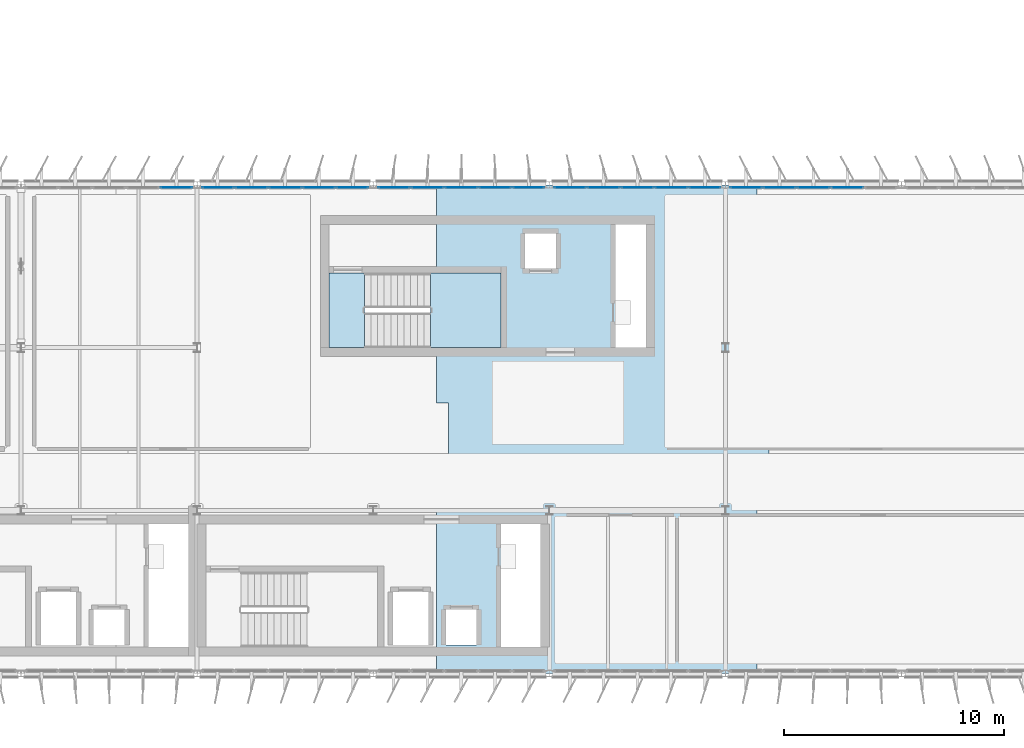
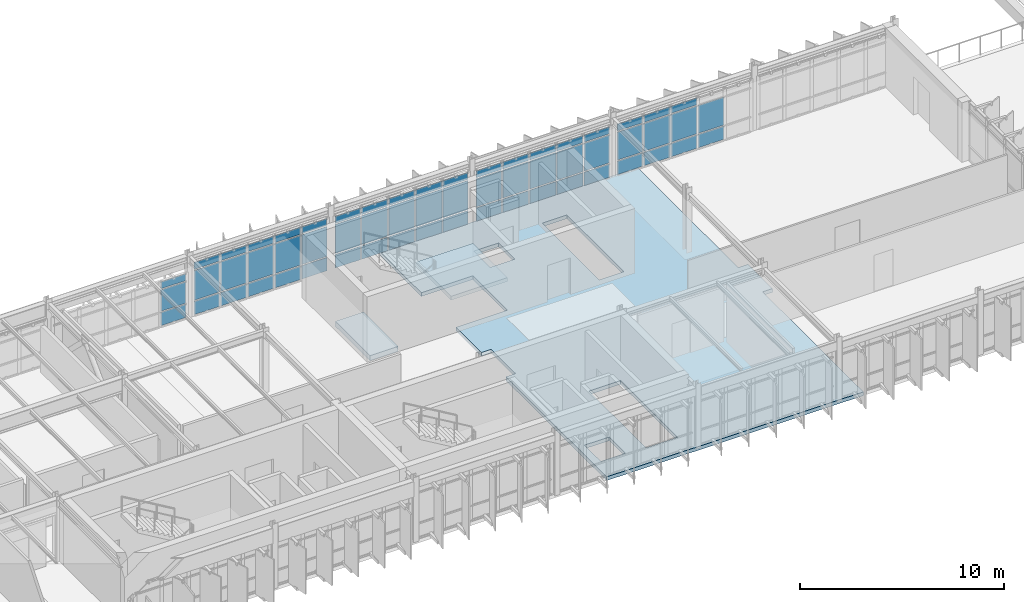
# One storey, part 22 of 35: 59 plates, 3 slabs, 6 elements without a shape of their own.
"""IFC4 building model written with IfcOpenShell, lengths in metres."""

from ifc_helpers import new_model, si_unit, direction, frame, origin, origin_2d, place, context, subcontext, project, spatial, polyline, rectangle, outline, extrude, material, layer, layer_set, type_object, element, aggregate, save


model = new_model("IFC4")

# Units and contexts
model_context = context("Model", 3, precision=1e-05, world=origin(), true_north=direction((0.0, 1.0)))
body_context = subcontext(model_context, "Body", "Model", "MODEL_VIEW")
ifc_project = project(units=[si_unit("LENGTHUNIT", "METRE"), si_unit("AREAUNIT", "SQUARE_METRE"), si_unit("VOLUMEUNIT", "CUBIC_METRE"), si_unit("PLANEANGLEUNIT", "RADIAN"), si_unit("MASSUNIT", "GRAM", prefix="KILO")], contexts=[model_context])

# Site, building, storey
site_placement = place(None, origin())
site = spatial("IfcSite", under=ifc_project, at=site_placement, CompositionType="ELEMENT")
building_placement = place(site_placement, origin())
building = spatial("IfcBuilding", under=site, at=building_placement, Name="Valkorina Park Police Headquarters", CompositionType="ELEMENT")
storey_placement = place(building_placement, frame((0.0, 0.0, 27.199951171875)))
storey = spatial("IfcBuildingStorey", under=building, at=storey_placement, Name="L07", CompositionType="ELEMENT", Elevation=27.199951171875)

# Curtain wall, plate
ifc_material_1 = material(Name="Thermally broken aluminium AW-6060", Category="aluminium")
ifc_layer_1 = layer(ifc_material_1, 0.18994140625)
ifc_layer_set_1 = layer_set([ifc_layer_1], Name="Thermally broken aluminium AW-6060")
curtain_wall_type_1 = type_object("IfcCurtainWallType", Name="CW-V5-7680x2770", PredefinedType="NOTDEFINED", material=ifc_layer_set_1)
curtain_wall_1_placement = place(storey_placement, origin())
curtain_wall_1 = element("IfcCurtainWall", 1, at=curtain_wall_1_placement, inside=storey, type_object=curtain_wall_type_1, Name="L07 Unitised Curtain Wall 148", PredefinedType="NOTDEFINED")
ifc_layer_2 = layer(ifc_material_1, 0.050048828125)
ifc_layer_set_2 = layer_set([ifc_layer_2], Name="Thermally broken aluminium AW-6060")
plate_type_1 = type_object("IfcPlateType", Name="PL-CWP-SPANDREL-50", PredefinedType="CURTAIN_PANEL", material=ifc_layer_set_2)
plate_1_placement = place(storey_placement, frame((31.8544921875, 59.080078125, 0.070068359375), z_axis=(0.0, 0.0, 1.0), x_axis=(1.0, 0.0, 0.0)))
plate_1 = element("IfcPlate", 2, at=plate_1_placement, type_object=plate_type_1, Name="CW-V5-768-277 panel 5.1", PredefinedType="CURTAIN_PANEL", context=body_context, shape_type="SweptSolid", body=[
    extrude(rectangle(XDim=1.430908203125, YDim=0.028076171875, at=origin_2d()), origin(), (0.0, 0.0, 1.0), 0.794921875),
])

# Curtain wall, plates
ifc_layer_3 = layer(ifc_material_1, 0.18994140625)
ifc_layer_set_3 = layer_set([ifc_layer_3], Name="Thermally broken aluminium AW-6060")
curtain_wall_type_2 = type_object("IfcCurtainWallType", Name="CW-V5-7680x3270", PredefinedType="NOTDEFINED", material=ifc_layer_set_3)
curtain_wall_2_placement = place(storey_placement, origin())
curtain_wall_2 = element("IfcCurtainWall", 3, at=curtain_wall_2_placement, inside=storey, type_object=curtain_wall_type_2, Name="L07 Unitised Curtain Wall 149", PredefinedType="NOTDEFINED")
plate_2_placement = place(storey_placement, frame((33.74560546875, 59.080078125, 0.070068359375), z_axis=(0.0, 0.0, 1.0), x_axis=(1.0, 0.0, 0.0)))
plate_2 = element("IfcPlate", 4, at=plate_2_placement, type_object=plate_type_1, Name="CW-V5-768-327 panel 1.1", PredefinedType="CURTAIN_PANEL", context=body_context, shape_type="SweptSolid", body=[
    extrude(rectangle(XDim=1.430908203125, YDim=0.028076171875, at=origin_2d()), origin(), (0.0, 0.0, 1.0), 0.794921875),
])
plate_3_placement = place(storey_placement, frame((35.263916015625, 59.080078125, 0.070068359375), z_axis=(0.0, 0.0, 1.0), x_axis=(1.0, 0.0, 0.0)))
plate_3 = element("IfcPlate", 5, at=plate_3_placement, type_object=plate_type_1, Name="CW-V5-768-327 panel 2.1", PredefinedType="CURTAIN_PANEL", context=body_context, shape_type="SweptSolid", body=[
    extrude(rectangle(XDim=1.466064453125, YDim=0.028076171875, at=origin_2d()), origin(), (0.0, 0.0, 1.0), 0.794921875),
])
plate_4_placement = place(storey_placement, frame((36.800048828125, 59.080078125, 0.070068359375), z_axis=(0.0, 0.0, 1.0), x_axis=(1.0, 0.0, 0.0)))
plate_4 = element("IfcPlate", 6, at=plate_4_placement, type_object=plate_type_1, Name="CW-V5-768-327 panel 3.1", PredefinedType="CURTAIN_PANEL", context=body_context, shape_type="SweptSolid", body=[
    extrude(rectangle(XDim=1.466064453125, YDim=0.028076171875, at=origin_2d()), origin(), (0.0, 0.0, 1.0), 0.794921875),
])
plate_5_placement = place(storey_placement, frame((38.3359375, 59.080078125, 0.070068359375), z_axis=(0.0, 0.0, 1.0), x_axis=(1.0, 0.0, 0.0)))
plate_5 = element("IfcPlate", 7, at=plate_5_placement, type_object=plate_type_1, Name="CW-V5-768-327 panel 4.1", PredefinedType="CURTAIN_PANEL", context=body_context, shape_type="SweptSolid", body=[
    extrude(rectangle(XDim=1.466064453125, YDim=0.028076171875, at=origin_2d()), origin(), (0.0, 0.0, 1.0), 0.794921875),
])
plate_6_placement = place(storey_placement, frame((39.8544921875, 59.080078125, 0.070068359375), z_axis=(0.0, 0.0, 1.0), x_axis=(1.0, 0.0, 0.0)))
plate_6 = element("IfcPlate", 8, at=plate_6_placement, type_object=plate_type_1, Name="CW-V5-768-327 panel 5.1", PredefinedType="CURTAIN_PANEL", context=body_context, shape_type="SweptSolid", body=[
    extrude(rectangle(XDim=1.430908203125, YDim=0.028076171875, at=origin_2d()), origin(), (0.0, 0.0, 1.0), 0.794921875),
])

ifc_layer_4 = layer(ifc_material_1, 0.18994140625)
ifc_layer_set_4 = layer_set([ifc_layer_4], Name="Thermally broken aluminium AW-6060")
curtain_wall_type_3 = type_object("IfcCurtainWallType", Name="CW-V5-7680x3230", PredefinedType="NOTDEFINED", material=ifc_layer_set_4)
curtain_wall_3_placement = place(storey_placement, origin())
curtain_wall_3 = element("IfcCurtainWall", 9, at=curtain_wall_3_placement, inside=storey, type_object=curtain_wall_type_3, Name="L07 Unitised Curtain Wall 150", PredefinedType="NOTDEFINED")
plate_7_placement = place(storey_placement, frame((41.74560546875, 59.080078125, 0.070068359375), z_axis=(0.0, 0.0, 1.0), x_axis=(1.0, 0.0, 0.0)))
plate_7 = element("IfcPlate", 10, at=plate_7_placement, type_object=plate_type_1, Name="CW-V5-768-323 panel 1.1", PredefinedType="CURTAIN_PANEL", context=body_context, shape_type="SweptSolid", body=[
    extrude(rectangle(XDim=1.430908203125, YDim=0.028076171875, at=origin_2d()), origin(), (0.0, 0.0, 1.0), 0.794921875),
])
plate_8_placement = place(storey_placement, frame((43.263916015625, 59.080078125, 0.070068359375), z_axis=(0.0, 0.0, 1.0), x_axis=(1.0, 0.0, 0.0)))
plate_8 = element("IfcPlate", 11, at=plate_8_placement, type_object=plate_type_1, Name="CW-V5-768-323 panel 2.1", PredefinedType="CURTAIN_PANEL", context=body_context, shape_type="SweptSolid", body=[
    extrude(rectangle(XDim=1.466064453125, YDim=0.028076171875, at=origin_2d()), origin(), (0.0, 0.0, 1.0), 0.794921875),
])
plate_9_placement = place(storey_placement, frame((44.800048828125, 59.080078125, 0.070068359375), z_axis=(0.0, 0.0, 1.0), x_axis=(1.0, 0.0, 0.0)))
plate_9 = element("IfcPlate", 12, at=plate_9_placement, type_object=plate_type_1, Name="CW-V5-768-323 panel 3.1", PredefinedType="CURTAIN_PANEL", context=body_context, shape_type="SweptSolid", body=[
    extrude(rectangle(XDim=1.466064453125, YDim=0.028076171875, at=origin_2d()), origin(), (0.0, 0.0, 1.0), 0.794921875),
])
plate_10_placement = place(storey_placement, frame((46.3359375, 59.080078125, 0.070068359375), z_axis=(0.0, 0.0, 1.0), x_axis=(1.0, 0.0, 0.0)))
plate_10 = element("IfcPlate", 13, at=plate_10_placement, type_object=plate_type_1, Name="CW-V5-768-323 panel 4.1", PredefinedType="CURTAIN_PANEL", context=body_context, shape_type="SweptSolid", body=[
    extrude(rectangle(XDim=1.466064453125, YDim=0.028076171875, at=origin_2d()), origin(), (0.0, 0.0, 1.0), 0.794921875),
])
plate_11_placement = place(storey_placement, frame((47.8544921875, 59.080078125, 0.070068359375), z_axis=(0.0, 0.0, 1.0), x_axis=(1.0, 0.0, 0.0)))
plate_11 = element("IfcPlate", 14, at=plate_11_placement, type_object=plate_type_1, Name="CW-V5-768-323 panel 5.1", PredefinedType="CURTAIN_PANEL", context=body_context, shape_type="SweptSolid", body=[
    extrude(rectangle(XDim=1.430908203125, YDim=0.028076171875, at=origin_2d()), origin(), (0.0, 0.0, 1.0), 0.794921875),
])

ifc_layer_5 = layer(ifc_material_1, 0.18994140625)
ifc_layer_set_5 = layer_set([ifc_layer_5], Name="Thermally broken aluminium AW-6060")
curtain_wall_type_4 = type_object("IfcCurtainWallType", Name="CW-V5-7680x3160", PredefinedType="NOTDEFINED", material=ifc_layer_set_5)
curtain_wall_4_placement = place(storey_placement, origin())
curtain_wall_4 = element("IfcCurtainWall", 15, at=curtain_wall_4_placement, inside=storey, type_object=curtain_wall_type_4, Name="L07 Unitised Curtain Wall 151", PredefinedType="NOTDEFINED")
plate_12_placement = place(storey_placement, frame((49.74560546875, 59.080078125, 0.070068359375), z_axis=(0.0, 0.0, 1.0), x_axis=(1.0, 0.0, 0.0)))
plate_12 = element("IfcPlate", 16, at=plate_12_placement, type_object=plate_type_1, Name="CW-V5-768-316 panel 1.1", PredefinedType="CURTAIN_PANEL", context=body_context, shape_type="SweptSolid", body=[
    extrude(rectangle(XDim=1.430908203125, YDim=0.028076171875, at=origin_2d()), origin(), (0.0, 0.0, 1.0), 0.794921875),
])
plate_13_placement = place(storey_placement, frame((51.263916015625, 59.080078125, 0.070068359375), z_axis=(0.0, 0.0, 1.0), x_axis=(1.0, 0.0, 0.0)))
plate_13 = element("IfcPlate", 17, at=plate_13_placement, type_object=plate_type_1, Name="CW-V5-768-316 panel 2.1", PredefinedType="CURTAIN_PANEL", context=body_context, shape_type="SweptSolid", body=[
    extrude(rectangle(XDim=1.466064453125, YDim=0.028076171875, at=origin_2d()), origin(), (0.0, 0.0, 1.0), 0.794921875),
])
plate_14_placement = place(storey_placement, frame((52.800048828125, 59.080078125, 0.070068359375), z_axis=(0.0, 0.0, 1.0), x_axis=(1.0, 0.0, 0.0)))
plate_14 = element("IfcPlate", 18, at=plate_14_placement, type_object=plate_type_1, Name="CW-V5-768-316 panel 3.1", PredefinedType="CURTAIN_PANEL", context=body_context, shape_type="SweptSolid", body=[
    extrude(rectangle(XDim=1.466064453125, YDim=0.028076171875, at=origin_2d()), origin(), (0.0, 0.0, 1.0), 0.794921875),
])
plate_15_placement = place(storey_placement, frame((54.3359375, 59.080078125, 0.070068359375), z_axis=(0.0, 0.0, 1.0), x_axis=(1.0, 0.0, 0.0)))
plate_15 = element("IfcPlate", 19, at=plate_15_placement, type_object=plate_type_1, Name="CW-V5-768-316 panel 4.1", PredefinedType="CURTAIN_PANEL", context=body_context, shape_type="SweptSolid", body=[
    extrude(rectangle(XDim=1.466064453125, YDim=0.028076171875, at=origin_2d()), origin(), (0.0, 0.0, 1.0), 0.794921875),
])
plate_16_placement = place(storey_placement, frame((55.8544921875, 59.080078125, 0.070068359375), z_axis=(0.0, 0.0, 1.0), x_axis=(1.0, 0.0, 0.0)))
plate_16 = element("IfcPlate", 20, at=plate_16_placement, type_object=plate_type_1, Name="CW-V5-768-316 panel 5.1", PredefinedType="CURTAIN_PANEL", context=body_context, shape_type="SweptSolid", body=[
    extrude(rectangle(XDim=1.430908203125, YDim=0.028076171875, at=origin_2d()), origin(), (0.0, 0.0, 1.0), 0.794921875),
])

curtain_wall_5_placement = place(storey_placement, origin())
curtain_wall_5 = element("IfcCurtainWall", 21, at=curtain_wall_5_placement, inside=storey, type_object=curtain_wall_type_4, Name="L07 Unitised Curtain Wall 152", PredefinedType="NOTDEFINED")
plate_17_placement = place(storey_placement, frame((57.74560546875, 59.080078125, 0.070068359375), z_axis=(0.0, 0.0, 1.0), x_axis=(1.0, 0.0, 0.0)))
plate_17 = element("IfcPlate", 22, at=plate_17_placement, type_object=plate_type_1, Name="CW-V5-768-316 panel 1.1", PredefinedType="CURTAIN_PANEL", context=body_context, shape_type="SweptSolid", body=[
    extrude(rectangle(XDim=1.430908203125, YDim=0.028076171875, at=origin_2d()), origin(), (0.0, 0.0, 1.0), 0.794921875),
])
plate_18_placement = place(storey_placement, frame((59.263916015625, 59.080078125, 0.070068359375), z_axis=(0.0, 0.0, 1.0), x_axis=(1.0, 0.0, 0.0)))
plate_18 = element("IfcPlate", 23, at=plate_18_placement, type_object=plate_type_1, Name="CW-V5-768-316 panel 2.1", PredefinedType="CURTAIN_PANEL", context=body_context, shape_type="SweptSolid", body=[
    extrude(rectangle(XDim=1.466064453125, YDim=0.028076171875, at=origin_2d()), origin(), (0.0, 0.0, 1.0), 0.794921875),
])
plate_19_placement = place(storey_placement, frame((60.800048828125, 59.080078125, 0.070068359375), z_axis=(0.0, 0.0, 1.0), x_axis=(1.0, 0.0, 0.0)))
plate_19 = element("IfcPlate", 24, at=plate_19_placement, type_object=plate_type_1, Name="CW-V5-768-316 panel 3.1", PredefinedType="CURTAIN_PANEL", context=body_context, shape_type="SweptSolid", body=[
    extrude(rectangle(XDim=1.466064453125, YDim=0.028076171875, at=origin_2d()), origin(), (0.0, 0.0, 1.0), 0.794921875),
])
plate_20_placement = place(storey_placement, frame((62.3359375, 59.080078125, 0.070068359375), z_axis=(0.0, 0.0, 1.0), x_axis=(1.0, 0.0, 0.0)))
plate_20 = element("IfcPlate", 25, at=plate_20_placement, type_object=plate_type_1, Name="CW-V5-768-316 panel 4.1", PredefinedType="CURTAIN_PANEL", context=body_context, shape_type="SweptSolid", body=[
    extrude(rectangle(XDim=1.466064453125, YDim=0.028076171875, at=origin_2d()), origin(), (0.0, 0.0, 1.0), 0.794921875),
])

# Plate
ifc_material_2 = material(Name="Triple low-E insulated glazing", Category="glass")
ifc_layer_6 = layer(ifc_material_2, 0.028076171875)
ifc_layer_set_6 = layer_set([ifc_layer_6], Name="Triple low-E insulated glazing")
plate_type_2 = type_object("IfcPlateType", Name="PL-CWP-VISION-28", PredefinedType="CURTAIN_PANEL", material=ifc_layer_set_6)
plate_21_placement = place(storey_placement, frame((31.8544921875, 59.080078125, 0.93505859375), z_axis=(0.0, 0.0, 1.0), x_axis=(1.0, 0.0, 0.0)))
plate_21 = element("IfcPlate", 26, at=plate_21_placement, type_object=plate_type_2, Name="CW-V5-768-277 panel 5.2", PredefinedType="CURTAIN_PANEL", context=body_context, shape_type="SweptSolid", body=[
    extrude(rectangle(XDim=1.430908203125, YDim=0.028076171875, at=origin_2d()), origin(), (0.0, 0.0, 1.0), 1.280029296875),
])

plate_22_placement = place(storey_placement, frame((31.8544921875, 59.080078125, 2.284912109375), z_axis=(0.0, 0.0, 1.0), x_axis=(1.0, 0.0, 0.0)))
plate_22 = element("IfcPlate", 27, at=plate_22_placement, type_object=plate_type_2, Name="CW-V5-768-277 panel 5.3", PredefinedType="CURTAIN_PANEL", context=body_context, shape_type="SweptSolid", body=[
    extrude(rectangle(XDim=1.430908203125, YDim=0.028076171875, at=origin_2d()), origin(), (0.0, 0.0, 1.0), 0.4150390625),
])

aggregate(curtain_wall_1, [plate_1, plate_21, plate_22])

plate_23_placement = place(storey_placement, frame((33.74560546875, 59.080078125, 0.93505859375), z_axis=(0.0, 0.0, 1.0), x_axis=(1.0, 0.0, 0.0)))
plate_23 = element("IfcPlate", 28, at=plate_23_placement, type_object=plate_type_2, Name="CW-V5-768-327 panel 1.2", PredefinedType="CURTAIN_PANEL", context=body_context, shape_type="SweptSolid", body=[
    extrude(rectangle(XDim=1.430908203125, YDim=0.028076171875, at=origin_2d()), origin(), (0.0, 0.0, 1.0), 1.780029296875),
])

plate_24_placement = place(storey_placement, frame((33.74560546875, 59.080078125, 2.784912109375), z_axis=(0.0, 0.0, 1.0), x_axis=(1.0, 0.0, 0.0)))
plate_24 = element("IfcPlate", 29, at=plate_24_placement, type_object=plate_type_2, Name="CW-V5-768-327 panel 1.3", PredefinedType="CURTAIN_PANEL", context=body_context, shape_type="SweptSolid", body=[
    extrude(rectangle(XDim=1.430908203125, YDim=0.028076171875, at=origin_2d()), origin(), (0.0, 0.0, 1.0), 0.4150390625),
])

plate_25_placement = place(storey_placement, frame((35.263916015625, 59.080078125, 0.93505859375), z_axis=(0.0, 0.0, 1.0), x_axis=(1.0, 0.0, 0.0)))
plate_25 = element("IfcPlate", 30, at=plate_25_placement, type_object=plate_type_2, Name="CW-V5-768-327 panel 2.2", PredefinedType="CURTAIN_PANEL", context=body_context, shape_type="SweptSolid", body=[
    extrude(rectangle(XDim=1.466064453125, YDim=0.028076171875, at=origin_2d()), origin(), (0.0, 0.0, 1.0), 1.780029296875),
])

plate_26_placement = place(storey_placement, frame((35.263916015625, 59.080078125, 2.784912109375), z_axis=(0.0, 0.0, 1.0), x_axis=(1.0, 0.0, 0.0)))
plate_26 = element("IfcPlate", 31, at=plate_26_placement, type_object=plate_type_2, Name="CW-V5-768-327 panel 2.3", PredefinedType="CURTAIN_PANEL", context=body_context, shape_type="SweptSolid", body=[
    extrude(rectangle(XDim=1.466064453125, YDim=0.028076171875, at=origin_2d()), origin(), (0.0, 0.0, 1.0), 0.4150390625),
])

plate_27_placement = place(storey_placement, frame((36.800048828125, 59.080078125, 0.93505859375), z_axis=(0.0, 0.0, 1.0), x_axis=(1.0, 0.0, 0.0)))
plate_27 = element("IfcPlate", 32, at=plate_27_placement, type_object=plate_type_2, Name="CW-V5-768-327 panel 3.2", PredefinedType="CURTAIN_PANEL", context=body_context, shape_type="SweptSolid", body=[
    extrude(rectangle(XDim=1.466064453125, YDim=0.028076171875, at=origin_2d()), origin(), (0.0, 0.0, 1.0), 1.780029296875),
])

plate_28_placement = place(storey_placement, frame((36.800048828125, 59.080078125, 2.784912109375), z_axis=(0.0, 0.0, 1.0), x_axis=(1.0, 0.0, 0.0)))
plate_28 = element("IfcPlate", 33, at=plate_28_placement, type_object=plate_type_2, Name="CW-V5-768-327 panel 3.3", PredefinedType="CURTAIN_PANEL", context=body_context, shape_type="SweptSolid", body=[
    extrude(rectangle(XDim=1.466064453125, YDim=0.028076171875, at=origin_2d()), origin(), (0.0, 0.0, 1.0), 0.4150390625),
])

plate_29_placement = place(storey_placement, frame((38.3359375, 59.080078125, 0.93505859375), z_axis=(0.0, 0.0, 1.0), x_axis=(1.0, 0.0, 0.0)))
plate_29 = element("IfcPlate", 34, at=plate_29_placement, type_object=plate_type_2, Name="CW-V5-768-327 panel 4.2", PredefinedType="CURTAIN_PANEL", context=body_context, shape_type="SweptSolid", body=[
    extrude(rectangle(XDim=1.466064453125, YDim=0.028076171875, at=origin_2d()), origin(), (0.0, 0.0, 1.0), 1.780029296875),
])

plate_30_placement = place(storey_placement, frame((38.3359375, 59.080078125, 2.784912109375), z_axis=(0.0, 0.0, 1.0), x_axis=(1.0, 0.0, 0.0)))
plate_30 = element("IfcPlate", 35, at=plate_30_placement, type_object=plate_type_2, Name="CW-V5-768-327 panel 4.3", PredefinedType="CURTAIN_PANEL", context=body_context, shape_type="SweptSolid", body=[
    extrude(rectangle(XDim=1.466064453125, YDim=0.028076171875, at=origin_2d()), origin(), (0.0, 0.0, 1.0), 0.4150390625),
])

plate_31_placement = place(storey_placement, frame((39.8544921875, 59.080078125, 0.93505859375), z_axis=(0.0, 0.0, 1.0), x_axis=(1.0, 0.0, 0.0)))
plate_31 = element("IfcPlate", 36, at=plate_31_placement, type_object=plate_type_2, Name="CW-V5-768-327 panel 5.2", PredefinedType="CURTAIN_PANEL", context=body_context, shape_type="SweptSolid", body=[
    extrude(rectangle(XDim=1.430908203125, YDim=0.028076171875, at=origin_2d()), origin(), (0.0, 0.0, 1.0), 1.780029296875),
])

plate_32_placement = place(storey_placement, frame((39.8544921875, 59.080078125, 2.784912109375), z_axis=(0.0, 0.0, 1.0), x_axis=(1.0, 0.0, 0.0)))
plate_32 = element("IfcPlate", 37, at=plate_32_placement, type_object=plate_type_2, Name="CW-V5-768-327 panel 5.3", PredefinedType="CURTAIN_PANEL", context=body_context, shape_type="SweptSolid", body=[
    extrude(rectangle(XDim=1.430908203125, YDim=0.028076171875, at=origin_2d()), origin(), (0.0, 0.0, 1.0), 0.4150390625),
])

aggregate(curtain_wall_2, [plate_2, plate_23, plate_24, plate_3, plate_25, plate_26, plate_4, plate_27, plate_28, plate_5, plate_29, plate_30, plate_6, plate_31, plate_32])

plate_33_placement = place(storey_placement, frame((41.74560546875, 59.080078125, 0.93505859375), z_axis=(0.0, 0.0, 1.0), x_axis=(1.0, 0.0, 0.0)))
plate_33 = element("IfcPlate", 38, at=plate_33_placement, type_object=plate_type_2, Name="CW-V5-768-323 panel 1.2", PredefinedType="CURTAIN_PANEL", context=body_context, shape_type="SweptSolid", body=[
    extrude(rectangle(XDim=1.430908203125, YDim=0.028076171875, at=origin_2d()), origin(), (0.0, 0.0, 1.0), 1.739990234375),
])

plate_34_placement = place(storey_placement, frame((41.74560546875, 59.080078125, 2.7451171875), z_axis=(0.0, 0.0, 1.0), x_axis=(1.0, 0.0, 0.0)))
plate_34 = element("IfcPlate", 39, at=plate_34_placement, type_object=plate_type_2, Name="CW-V5-768-323 panel 1.3", PredefinedType="CURTAIN_PANEL", context=body_context, shape_type="SweptSolid", body=[
    extrude(rectangle(XDim=1.430908203125, YDim=0.028076171875, at=origin_2d()), origin(), (0.0, 0.0, 1.0), 0.4150390625),
])

plate_35_placement = place(storey_placement, frame((43.263916015625, 59.080078125, 0.93505859375), z_axis=(0.0, 0.0, 1.0), x_axis=(1.0, 0.0, 0.0)))
plate_35 = element("IfcPlate", 40, at=plate_35_placement, type_object=plate_type_2, Name="CW-V5-768-323 panel 2.2", PredefinedType="CURTAIN_PANEL", context=body_context, shape_type="SweptSolid", body=[
    extrude(rectangle(XDim=1.466064453125, YDim=0.028076171875, at=origin_2d()), origin(), (0.0, 0.0, 1.0), 1.739990234375),
])

plate_36_placement = place(storey_placement, frame((43.263916015625, 59.080078125, 2.7451171875), z_axis=(0.0, 0.0, 1.0), x_axis=(1.0, 0.0, 0.0)))
plate_36 = element("IfcPlate", 41, at=plate_36_placement, type_object=plate_type_2, Name="CW-V5-768-323 panel 2.3", PredefinedType="CURTAIN_PANEL", context=body_context, shape_type="SweptSolid", body=[
    extrude(rectangle(XDim=1.466064453125, YDim=0.028076171875, at=origin_2d()), origin(), (0.0, 0.0, 1.0), 0.4150390625),
])

plate_37_placement = place(storey_placement, frame((44.800048828125, 59.080078125, 0.93505859375), z_axis=(0.0, 0.0, 1.0), x_axis=(1.0, 0.0, 0.0)))
plate_37 = element("IfcPlate", 42, at=plate_37_placement, type_object=plate_type_2, Name="CW-V5-768-323 panel 3.2", PredefinedType="CURTAIN_PANEL", context=body_context, shape_type="SweptSolid", body=[
    extrude(rectangle(XDim=1.466064453125, YDim=0.028076171875, at=origin_2d()), origin(), (0.0, 0.0, 1.0), 1.739990234375),
])

plate_38_placement = place(storey_placement, frame((44.800048828125, 59.080078125, 2.7451171875), z_axis=(0.0, 0.0, 1.0), x_axis=(1.0, 0.0, 0.0)))
plate_38 = element("IfcPlate", 43, at=plate_38_placement, type_object=plate_type_2, Name="CW-V5-768-323 panel 3.3", PredefinedType="CURTAIN_PANEL", context=body_context, shape_type="SweptSolid", body=[
    extrude(rectangle(XDim=1.466064453125, YDim=0.028076171875, at=origin_2d()), origin(), (0.0, 0.0, 1.0), 0.4150390625),
])

plate_39_placement = place(storey_placement, frame((46.3359375, 59.080078125, 0.93505859375), z_axis=(0.0, 0.0, 1.0), x_axis=(1.0, 0.0, 0.0)))
plate_39 = element("IfcPlate", 44, at=plate_39_placement, type_object=plate_type_2, Name="CW-V5-768-323 panel 4.2", PredefinedType="CURTAIN_PANEL", context=body_context, shape_type="SweptSolid", body=[
    extrude(rectangle(XDim=1.466064453125, YDim=0.028076171875, at=origin_2d()), origin(), (0.0, 0.0, 1.0), 1.739990234375),
])

plate_40_placement = place(storey_placement, frame((46.3359375, 59.080078125, 2.7451171875), z_axis=(0.0, 0.0, 1.0), x_axis=(1.0, 0.0, 0.0)))
plate_40 = element("IfcPlate", 45, at=plate_40_placement, type_object=plate_type_2, Name="CW-V5-768-323 panel 4.3", PredefinedType="CURTAIN_PANEL", context=body_context, shape_type="SweptSolid", body=[
    extrude(rectangle(XDim=1.466064453125, YDim=0.028076171875, at=origin_2d()), origin(), (0.0, 0.0, 1.0), 0.4150390625),
])

plate_41_placement = place(storey_placement, frame((47.8544921875, 59.080078125, 0.93505859375), z_axis=(0.0, 0.0, 1.0), x_axis=(1.0, 0.0, 0.0)))
plate_41 = element("IfcPlate", 46, at=plate_41_placement, type_object=plate_type_2, Name="CW-V5-768-323 panel 5.2", PredefinedType="CURTAIN_PANEL", context=body_context, shape_type="SweptSolid", body=[
    extrude(rectangle(XDim=1.430908203125, YDim=0.028076171875, at=origin_2d()), origin(), (0.0, 0.0, 1.0), 1.739990234375),
])

plate_42_placement = place(storey_placement, frame((47.8544921875, 59.080078125, 2.7451171875), z_axis=(0.0, 0.0, 1.0), x_axis=(1.0, 0.0, 0.0)))
plate_42 = element("IfcPlate", 47, at=plate_42_placement, type_object=plate_type_2, Name="CW-V5-768-323 panel 5.3", PredefinedType="CURTAIN_PANEL", context=body_context, shape_type="SweptSolid", body=[
    extrude(rectangle(XDim=1.430908203125, YDim=0.028076171875, at=origin_2d()), origin(), (0.0, 0.0, 1.0), 0.4150390625),
])

aggregate(curtain_wall_3, [plate_7, plate_33, plate_34, plate_8, plate_35, plate_36, plate_9, plate_37, plate_38, plate_10, plate_39, plate_40, plate_11, plate_41, plate_42])

plate_43_placement = place(storey_placement, frame((49.74560546875, 59.080078125, 0.93505859375), z_axis=(0.0, 0.0, 1.0), x_axis=(1.0, 0.0, 0.0)))
plate_43 = element("IfcPlate", 48, at=plate_43_placement, type_object=plate_type_2, Name="CW-V5-768-316 panel 1.2", PredefinedType="CURTAIN_PANEL", context=body_context, shape_type="SweptSolid", body=[
    extrude(rectangle(XDim=1.430908203125, YDim=0.028076171875, at=origin_2d()), origin(), (0.0, 0.0, 1.0), 1.669921875),
])

plate_44_placement = place(storey_placement, frame((49.74560546875, 59.080078125, 2.675048828125), z_axis=(0.0, 0.0, 1.0), x_axis=(1.0, 0.0, 0.0)))
plate_44 = element("IfcPlate", 49, at=plate_44_placement, type_object=plate_type_2, Name="CW-V5-768-316 panel 1.3", PredefinedType="CURTAIN_PANEL", context=body_context, shape_type="SweptSolid", body=[
    extrude(rectangle(XDim=1.430908203125, YDim=0.028076171875, at=origin_2d()), origin(), (0.0, 0.0, 1.0), 0.4150390625),
])

plate_45_placement = place(storey_placement, frame((51.263916015625, 59.080078125, 0.93505859375), z_axis=(0.0, 0.0, 1.0), x_axis=(1.0, 0.0, 0.0)))
plate_45 = element("IfcPlate", 50, at=plate_45_placement, type_object=plate_type_2, Name="CW-V5-768-316 panel 2.2", PredefinedType="CURTAIN_PANEL", context=body_context, shape_type="SweptSolid", body=[
    extrude(rectangle(XDim=1.466064453125, YDim=0.028076171875, at=origin_2d()), origin(), (0.0, 0.0, 1.0), 1.669921875),
])

plate_46_placement = place(storey_placement, frame((51.263916015625, 59.080078125, 2.675048828125), z_axis=(0.0, 0.0, 1.0), x_axis=(1.0, 0.0, 0.0)))
plate_46 = element("IfcPlate", 51, at=plate_46_placement, type_object=plate_type_2, Name="CW-V5-768-316 panel 2.3", PredefinedType="CURTAIN_PANEL", context=body_context, shape_type="SweptSolid", body=[
    extrude(rectangle(XDim=1.466064453125, YDim=0.028076171875, at=origin_2d()), origin(), (0.0, 0.0, 1.0), 0.4150390625),
])

plate_47_placement = place(storey_placement, frame((52.800048828125, 59.080078125, 0.93505859375), z_axis=(0.0, 0.0, 1.0), x_axis=(1.0, 0.0, 0.0)))
plate_47 = element("IfcPlate", 52, at=plate_47_placement, type_object=plate_type_2, Name="CW-V5-768-316 panel 3.2", PredefinedType="CURTAIN_PANEL", context=body_context, shape_type="SweptSolid", body=[
    extrude(rectangle(XDim=1.466064453125, YDim=0.028076171875, at=origin_2d()), origin(), (0.0, 0.0, 1.0), 1.669921875),
])

plate_48_placement = place(storey_placement, frame((52.800048828125, 59.080078125, 2.675048828125), z_axis=(0.0, 0.0, 1.0), x_axis=(1.0, 0.0, 0.0)))
plate_48 = element("IfcPlate", 53, at=plate_48_placement, type_object=plate_type_2, Name="CW-V5-768-316 panel 3.3", PredefinedType="CURTAIN_PANEL", context=body_context, shape_type="SweptSolid", body=[
    extrude(rectangle(XDim=1.466064453125, YDim=0.028076171875, at=origin_2d()), origin(), (0.0, 0.0, 1.0), 0.4150390625),
])

plate_49_placement = place(storey_placement, frame((54.3359375, 59.080078125, 0.93505859375), z_axis=(0.0, 0.0, 1.0), x_axis=(1.0, 0.0, 0.0)))
plate_49 = element("IfcPlate", 54, at=plate_49_placement, type_object=plate_type_2, Name="CW-V5-768-316 panel 4.2", PredefinedType="CURTAIN_PANEL", context=body_context, shape_type="SweptSolid", body=[
    extrude(rectangle(XDim=1.466064453125, YDim=0.028076171875, at=origin_2d()), origin(), (0.0, 0.0, 1.0), 1.669921875),
])

plate_50_placement = place(storey_placement, frame((54.3359375, 59.080078125, 2.675048828125), z_axis=(0.0, 0.0, 1.0), x_axis=(1.0, 0.0, 0.0)))
plate_50 = element("IfcPlate", 55, at=plate_50_placement, type_object=plate_type_2, Name="CW-V5-768-316 panel 4.3", PredefinedType="CURTAIN_PANEL", context=body_context, shape_type="SweptSolid", body=[
    extrude(rectangle(XDim=1.466064453125, YDim=0.028076171875, at=origin_2d()), origin(), (0.0, 0.0, 1.0), 0.4150390625),
])

plate_51_placement = place(storey_placement, frame((55.8544921875, 59.080078125, 0.93505859375), z_axis=(0.0, 0.0, 1.0), x_axis=(1.0, 0.0, 0.0)))
plate_51 = element("IfcPlate", 56, at=plate_51_placement, type_object=plate_type_2, Name="CW-V5-768-316 panel 5.2", PredefinedType="CURTAIN_PANEL", context=body_context, shape_type="SweptSolid", body=[
    extrude(rectangle(XDim=1.430908203125, YDim=0.028076171875, at=origin_2d()), origin(), (0.0, 0.0, 1.0), 1.669921875),
])

plate_52_placement = place(storey_placement, frame((55.8544921875, 59.080078125, 2.675048828125), z_axis=(0.0, 0.0, 1.0), x_axis=(1.0, 0.0, 0.0)))
plate_52 = element("IfcPlate", 57, at=plate_52_placement, type_object=plate_type_2, Name="CW-V5-768-316 panel 5.3", PredefinedType="CURTAIN_PANEL", context=body_context, shape_type="SweptSolid", body=[
    extrude(rectangle(XDim=1.430908203125, YDim=0.028076171875, at=origin_2d()), origin(), (0.0, 0.0, 1.0), 0.4150390625),
])

aggregate(curtain_wall_4, [plate_12, plate_43, plate_44, plate_13, plate_45, plate_46, plate_14, plate_47, plate_48, plate_15, plate_49, plate_50, plate_16, plate_51, plate_52])

plate_53_placement = place(storey_placement, frame((57.74560546875, 59.080078125, 0.93505859375), z_axis=(0.0, 0.0, 1.0), x_axis=(1.0, 0.0, 0.0)))
plate_53 = element("IfcPlate", 58, at=plate_53_placement, type_object=plate_type_2, Name="CW-V5-768-316 panel 1.2", PredefinedType="CURTAIN_PANEL", context=body_context, shape_type="SweptSolid", body=[
    extrude(rectangle(XDim=1.430908203125, YDim=0.028076171875, at=origin_2d()), origin(), (0.0, 0.0, 1.0), 1.669921875),
])

plate_54_placement = place(storey_placement, frame((57.74560546875, 59.080078125, 2.675048828125), z_axis=(0.0, 0.0, 1.0), x_axis=(1.0, 0.0, 0.0)))
plate_54 = element("IfcPlate", 59, at=plate_54_placement, type_object=plate_type_2, Name="CW-V5-768-316 panel 1.3", PredefinedType="CURTAIN_PANEL", context=body_context, shape_type="SweptSolid", body=[
    extrude(rectangle(XDim=1.430908203125, YDim=0.028076171875, at=origin_2d()), origin(), (0.0, 0.0, 1.0), 0.4150390625),
])

plate_55_placement = place(storey_placement, frame((59.263916015625, 59.080078125, 0.93505859375), z_axis=(0.0, 0.0, 1.0), x_axis=(1.0, 0.0, 0.0)))
plate_55 = element("IfcPlate", 60, at=plate_55_placement, type_object=plate_type_2, Name="CW-V5-768-316 panel 2.2", PredefinedType="CURTAIN_PANEL", context=body_context, shape_type="SweptSolid", body=[
    extrude(rectangle(XDim=1.466064453125, YDim=0.028076171875, at=origin_2d()), origin(), (0.0, 0.0, 1.0), 1.669921875),
])

plate_56_placement = place(storey_placement, frame((59.263916015625, 59.080078125, 2.675048828125), z_axis=(0.0, 0.0, 1.0), x_axis=(1.0, 0.0, 0.0)))
plate_56 = element("IfcPlate", 61, at=plate_56_placement, type_object=plate_type_2, Name="CW-V5-768-316 panel 2.3", PredefinedType="CURTAIN_PANEL", context=body_context, shape_type="SweptSolid", body=[
    extrude(rectangle(XDim=1.466064453125, YDim=0.028076171875, at=origin_2d()), origin(), (0.0, 0.0, 1.0), 0.4150390625),
])

plate_57_placement = place(storey_placement, frame((60.800048828125, 59.080078125, 0.93505859375), z_axis=(0.0, 0.0, 1.0), x_axis=(1.0, 0.0, 0.0)))
plate_57 = element("IfcPlate", 62, at=plate_57_placement, type_object=plate_type_2, Name="CW-V5-768-316 panel 3.2", PredefinedType="CURTAIN_PANEL", context=body_context, shape_type="SweptSolid", body=[
    extrude(rectangle(XDim=1.466064453125, YDim=0.028076171875, at=origin_2d()), origin(), (0.0, 0.0, 1.0), 1.669921875),
])

plate_58_placement = place(storey_placement, frame((60.800048828125, 59.080078125, 2.675048828125), z_axis=(0.0, 0.0, 1.0), x_axis=(1.0, 0.0, 0.0)))
plate_58 = element("IfcPlate", 63, at=plate_58_placement, type_object=plate_type_2, Name="CW-V5-768-316 panel 3.3", PredefinedType="CURTAIN_PANEL", context=body_context, shape_type="SweptSolid", body=[
    extrude(rectangle(XDim=1.466064453125, YDim=0.028076171875, at=origin_2d()), origin(), (0.0, 0.0, 1.0), 0.4150390625),
])

plate_59_placement = place(storey_placement, frame((62.3359375, 59.080078125, 0.93505859375), z_axis=(0.0, 0.0, 1.0), x_axis=(1.0, 0.0, 0.0)))
plate_59 = element("IfcPlate", 64, at=plate_59_placement, type_object=plate_type_2, Name="CW-V5-768-316 panel 4.2", PredefinedType="CURTAIN_PANEL", context=body_context, shape_type="SweptSolid", body=[
    extrude(rectangle(XDim=1.466064453125, YDim=0.028076171875, at=origin_2d()), origin(), (0.0, 0.0, 1.0), 1.669921875),
])

aggregate(curtain_wall_5, [plate_17, plate_53, plate_54, plate_18, plate_55, plate_56, plate_19, plate_57, plate_58, plate_20, plate_59])

# Slab
ifc_material_3 = material(Name="Concrete C35/45", Category="concrete")
ifc_layer_7 = layer(ifc_material_3, 0.219970703125)
ifc_layer_set_7 = layer_set([ifc_layer_7], Name="Concrete C35/45")
slab_type_1 = type_object("IfcSlabType", Name="SL-COMP-OFF-150", PredefinedType="FLOOR", material=ifc_layer_set_7)
slab_1_placement = place(storey_placement, frame((0.0, 0.0, -0.219970703125)))
element("IfcSlab", 65, at=slab_1_placement, inside=storey, type_object=slab_type_1, Name="L07 Structural Floor Slab 109", PredefinedType="FLOOR", context=body_context, shape_type="SweptSolid", body=[
    extrude(outline(polyline([(58.7900390625, 49.2958984375), (58.239990234375, 49.2958984375), (58.239990234375, 59.19189453125), (43.679931640625, 59.19189453125), (43.679931640625, 55.199951171875), (46.60009765625, 55.199951171875), (46.60009765625, 51.800048828125), (43.679931640625, 51.800048828125), (43.679931640625, 49.2958984375), (44.22998046875, 49.2958984375), (44.22998046875, 46.89599609375), (43.679931640625, 46.89599609375), (43.679931640625, 37.0), (58.239990234375, 37.0), (58.239990234375, 46.89599609375), (58.7900390625, 46.89599609375), (58.7900390625, 49.2958984375)]), holes=[polyline([(45.5, 38.300048828125), (44.10009765625, 38.300048828125), (44.10009765625, 39.89990234375), (45.5, 39.89990234375), (45.5, 38.300048828125)]), polyline([(48.39990234375, 38.199951171875), (46.60009765625, 38.199951171875), (46.60009765625, 43.800048828125), (48.39990234375, 43.800048828125), (48.39990234375, 38.199951171875)]), polyline([(53.199951171875, 51.800048828125), (51.800048828125, 51.800048828125), (51.800048828125, 57.39990234375), (53.199951171875, 57.39990234375), (53.199951171875, 51.800048828125)]), polyline([(49.10009765625, 55.39990234375), (47.699951171875, 55.39990234375), (47.699951171875, 57.0), (49.10009765625, 57.0), (49.10009765625, 55.39990234375)])]), origin(), (0.0, 0.0, 1.0), 0.219970703125),
])

# Stair, slab
stair_type = type_object("IfcStairType", Name="ST-DOGLEG-160-39", PredefinedType="HALF_TURN_STAIR", material=ifc_material_3)
stair_placement = place(storey_placement, origin())
stair = element("IfcStair", 66, at=stair_placement, inside=storey, type_object=stair_type, Name="L07 Core C3 Protected Stair (ST-07)", PredefinedType="HALF_TURN_STAIR")
ifc_layer_8 = layer(ifc_material_3, 0.22998046875)
ifc_layer_set_8 = layer_set([ifc_layer_8], Name="Concrete C35/45")
slab_type_2 = type_object("IfcSlabType", Name="SL-LANDING-230", PredefinedType="LANDING", material=ifc_layer_set_8)
slab_2_placement = place(storey_placement, frame((0.0, 0.0, 1.719970703125)))
slab_2 = element("IfcSlab", 67, at=slab_2_placement, type_object=slab_type_2, Name="ST-07 landing 1", PredefinedType="LANDING", context=body_context, shape_type="SweptSolid", body=[
    extrude(outline(polyline([(43.39990234375, 51.800048828125), (46.60009765625, 51.800048828125), (46.60009765625, 55.199951171875), (43.39990234375, 55.199951171875), (43.39990234375, 51.800048828125)])), origin(), (0.0, 0.0, 1.0), 0.22998046875),
])
aggregate(stair, [slab_2])

# Slab
ifc_material_4 = material(Name="Concrete C40/50", Category="concrete")
ifc_layer_9 = layer(ifc_material_4, 0.300048828125)
ifc_layer_set_9 = layer_set([ifc_layer_9], Name="Concrete C40/50")
slab_type_3 = type_object("IfcSlabType", Name="SL-VAULT-300", PredefinedType="FLOOR", material=ifc_layer_set_9)
slab_3_placement = place(storey_placement, frame((0.0, 0.0, -0.300048828125)))
element("IfcSlab", 68, at=slab_3_placement, inside=storey, type_object=slab_type_3, Name="L07 Core C3 Structural Floor Landing Slab", PredefinedType="FLOOR", context=body_context, shape_type="SweptSolid", body=[
    extrude(outline(polyline([(38.800048828125, 51.800048828125), (40.39990234375, 51.800048828125), (40.39990234375, 55.199951171875), (38.800048828125, 55.199951171875), (38.800048828125, 51.800048828125)])), origin(), (0.0, 0.0, 1.0), 0.300048828125),
])

save(model, "model.ifc")
